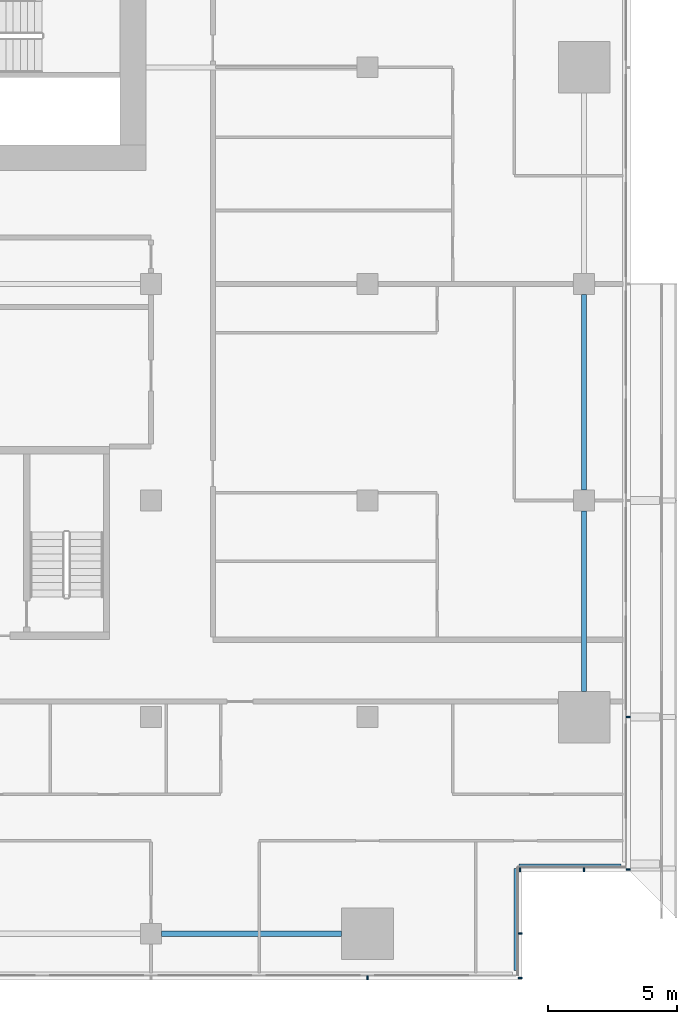
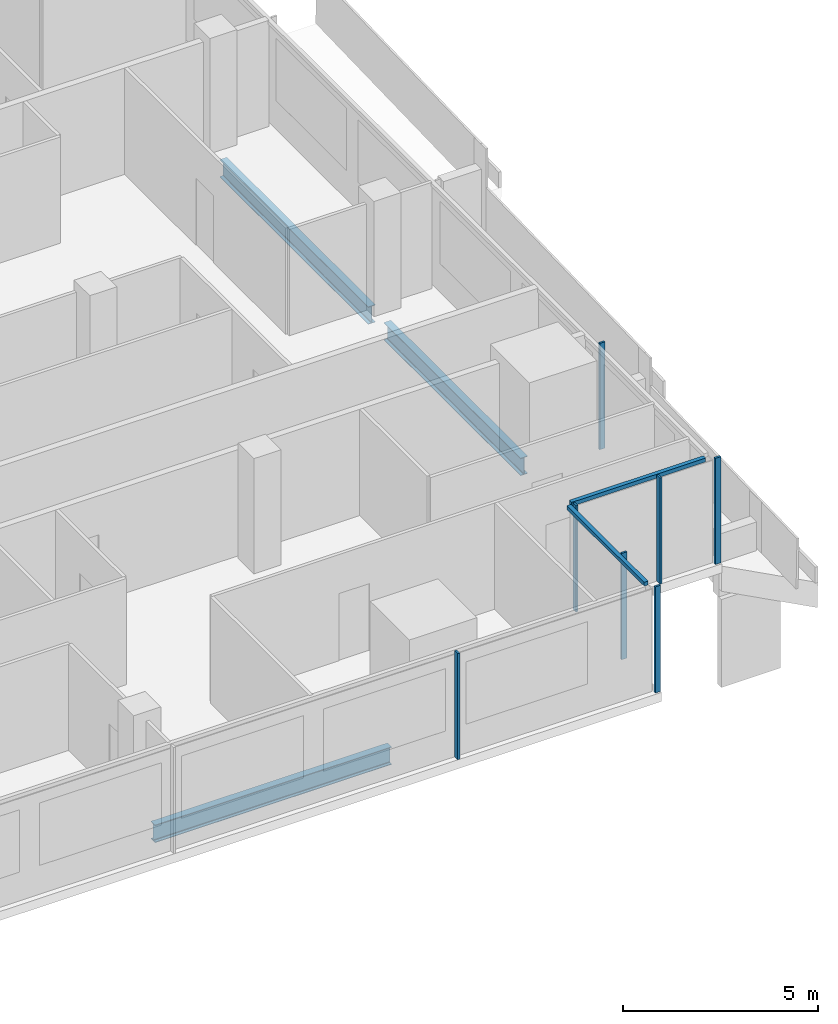
# One storey, part 10 of 25: 9 members, 3 beams, 4 elements without a shape of their own.
"""IFC4 building model written with IfcOpenShell, lengths in metres."""

from ifc_helpers import new_model, si_unit, direction, frame, origin, origin_2d, place, context, subcontext, project, spatial, rectangle, i_section, extrude, material, material_profile, profile_set, type_object, element, aggregate, save


model = new_model("IFC4")

# Units and contexts
model_context = context("Model", 3, precision=1e-05, world=origin(), true_north=direction((0.0, 1.0)))
body_context = subcontext(model_context, "Body", "Model", "MODEL_VIEW")
ifc_project = project(units=[si_unit("LENGTHUNIT", "METRE"), si_unit("AREAUNIT", "SQUARE_METRE"), si_unit("VOLUMEUNIT", "CUBIC_METRE"), si_unit("PLANEANGLEUNIT", "RADIAN"), si_unit("MASSUNIT", "GRAM", prefix="KILO")], contexts=[model_context])

# Site, building, storey
site_placement = place(None, origin())
site = spatial("IfcSite", under=ifc_project, at=site_placement, CompositionType="ELEMENT")
building_placement = place(site_placement, origin())
building = spatial("IfcBuilding", under=site, at=building_placement, Name="Saffron Gate Tower", CompositionType="ELEMENT")
storey_placement = place(building_placement, frame((0.0, 0.0, 131.25)))
storey = spatial("IfcBuildingStorey", under=building, at=storey_placement, Name="L31", CompositionType="ELEMENT", Elevation=131.25)

# Beams
ifc_material_1 = material(Name="Structural steel S355", Category="steel")
ifc_material_profile_1 = material_profile(ifc_material_1, i_section(OverallWidth=0.2099609375, OverallDepth=0.550048828125, WebThickness=0.010986328125, FlangeThickness=0.01708984375, FilletRadius=0.02392578125, at=origin_2d()))
ifc_profile_set_1 = profile_set([ifc_material_profile_1], Name="Structural steel S355")
beam_type = type_object("IfcBeamType", Name="B13 IPE 550", PredefinedType="SPANDREL", material=ifc_profile_set_1)
for number, where, z_axis, x_axis, name in (
    (1, (109.0, 31.800048828125, -0.554931640625), (1.0, 0.0, 0.0), (0.0, 1.0, 0.0), "B13 SPANDREL BEAM"),
    (2, (125.39990234375, 41.199951171875, -0.554931640625), (0.0, 1.0, 0.0), (-1.0, 0.0, 0.0), "B13 SPANDREL BEAM"),
):
    element("IfcBeam", number, at=place(storey_placement, frame(where, z_axis=z_axis, x_axis=x_axis)), inside=storey, type_object=beam_type, Name=name, PredefinedType="SPANDREL", context=body_context, shape_type="SweptSolid", body=[
        extrude(i_section(OverallWidth=0.2099609375, OverallDepth=0.550048828125, WebThickness=0.010986328125, FlangeThickness=0.01708984375, FilletRadius=0.02392578125, at=origin_2d()), origin(), (0.0, 0.0, 1.0), 7.0),
    ])
beam_placement = place(storey_placement, frame((125.39990234375, 49.0, -0.554931640625), z_axis=(0.0, 1.0, 0.0), x_axis=(-1.0, 0.0, 0.0)))
element("IfcBeam", 3, at=beam_placement, inside=storey, type_object=beam_type, Name="B13 SPANDREL BEAM", PredefinedType="SPANDREL", context=body_context, shape_type="SweptSolid", body=[
    extrude(i_section(OverallWidth=0.2099609375, OverallDepth=0.550048828125, WebThickness=0.010986328125, FlangeThickness=0.01708984375, FilletRadius=0.02392578125, at=origin_2d()), origin(), (0.0, 0.0, 1.0), 7.60009765625),
])

# Curtain wall, member
ifc_material_2 = material(Name="Aluminium, bronze anodised", Category="aluminium")
curtain_wall_type_1 = type_object("IfcCurtainWallType", Name="CWS1 curtain wall front facade", PredefinedType="NOTDEFINED", material=ifc_material_2)
curtain_wall_1_placement = place(storey_placement, origin())
curtain_wall_1 = element("IfcCurtainWall", 4, at=curtain_wall_1_placement, inside=storey, type_object=curtain_wall_type_1, Name="CWS1 run 1", PredefinedType="NOTDEFINED")
ifc_material_profile_2 = material_profile(ifc_material_2, rectangle(XDim=0.159912109375, YDim=0.06005859375, at=origin_2d()))
ifc_profile_set_2 = profile_set([ifc_material_profile_2], Name="Aluminium, bronze anodised")
member_type_1 = type_object("IfcMemberType", Name="CWS1 mullion 60x160", PredefinedType="MULLION", material=ifc_profile_set_2)
member_1_placement = place(storey_placement, frame((117.0, 30.080078125, 0.0), z_axis=(0.0, 0.0, 1.0), x_axis=(0.0, 1.0, 0.0)))
member_1 = element("IfcMember", 5, at=member_1_placement, type_object=member_type_1, Name="CWS1 mullion 9", PredefinedType="MULLION", context=body_context, shape_type="SweptSolid", body=[
    extrude(rectangle(XDim=0.159912109375, YDim=0.06005859375, at=origin_2d()), origin(), (0.0, 0.0, 1.0), 3.320068359375),
])
aggregate(curtain_wall_1, [member_1])

# Curtain wall, members
curtain_wall_type_2 = type_object("IfcCurtainWallType", Name="CWS2 curtain wall side facades", PredefinedType="NOTDEFINED", material=ifc_material_2)
curtain_wall_2_placement = place(storey_placement, origin())
curtain_wall_2 = element("IfcCurtainWall", 6, at=curtain_wall_2_placement, inside=storey, type_object=curtain_wall_type_2, Name="CWS2 run 4", PredefinedType="NOTDEFINED")
ifc_material_profile_3 = material_profile(ifc_material_2, rectangle(XDim=0.159912109375, YDim=0.06005859375, at=origin_2d()))
ifc_profile_set_3 = profile_set([ifc_material_profile_3], Name="Aluminium, bronze anodised")
member_type_2 = type_object("IfcMemberType", Name="CWS2 mullion 60x160", PredefinedType="MULLION", material=ifc_profile_set_3)
member_2_placement = place(storey_placement, frame((127.1201171875, 34.280029296875, 0.0), z_axis=(0.0, 0.0, 1.0), x_axis=(-1.0, 0.0, 0.0)))
member_2 = element("IfcMember", 7, at=member_2_placement, type_object=member_type_2, Name="CWS2 mullion 1", PredefinedType="MULLION", context=body_context, shape_type="SweptSolid", body=[
    extrude(rectangle(XDim=0.159912109375, YDim=0.06005859375, at=origin_2d()), origin(), (0.0, 0.0, 1.0), 3.320068359375),
])
member_3_placement = place(storey_placement, frame((127.1201171875, 40.199951171875, 0.0), z_axis=(0.0, 0.0, 1.0), x_axis=(-1.0, 0.0, 0.0)))
member_3 = element("IfcMember", 8, at=member_3_placement, type_object=member_type_2, Name="CWS2 mullion 2", PredefinedType="MULLION", context=body_context, shape_type="SweptSolid", body=[
    extrude(rectangle(XDim=0.159912109375, YDim=0.06005859375, at=origin_2d()), origin(), (0.0, 0.0, 1.0), 3.320068359375),
])
aggregate(curtain_wall_2, [member_2, member_3])

# Curtain wall, member
curtain_wall_type_3 = type_object("IfcCurtainWallType", Name="CWS4 curtain wall corner returns", PredefinedType="NOTDEFINED", material=ifc_material_2)
curtain_wall_3_placement = place(storey_placement, origin())
curtain_wall_3 = element("IfcCurtainWall", 9, at=curtain_wall_3_placement, inside=storey, type_object=curtain_wall_type_3, Name="CWS4 run 2", PredefinedType="NOTDEFINED")
ifc_material_profile_4 = material_profile(ifc_material_2, rectangle(XDim=0.1201171875, YDim=0.1201171875, at=origin_2d()))
ifc_profile_set_4 = profile_set([ifc_material_profile_4], Name="Aluminium, bronze anodised")
member_type_3 = type_object("IfcMemberType", Name="CWS4 head transom", PredefinedType="USERDEFINED", material=ifc_profile_set_4)
member_4_placement = place(storey_placement, frame((122.751953125, 30.367919921875, 3.260009765625), z_axis=(0.0, 1.0, 0.0), x_axis=(-1.0, 0.0, 0.0)))
member_4 = element("IfcMember", 10, at=member_4_placement, type_object=member_type_3, Name="CWS4 head transom", ObjectType="TRANSOM", PredefinedType="USERDEFINED", context=body_context, shape_type="SweptSolid", body=[
    extrude(rectangle(XDim=0.1201171875, YDim=0.1201171875, at=origin_2d()), origin(), (0.0, 0.0, 1.0), 3.9599609375),
])

curtain_wall_4_placement = place(storey_placement, origin())
curtain_wall_4 = element("IfcCurtainWall", 11, at=curtain_wall_4_placement, inside=storey, type_object=curtain_wall_type_3, Name="CWS4 run 3", PredefinedType="NOTDEFINED")
member_5_placement = place(storey_placement, frame((122.8720703125, 34.447998046875, 3.260009765625), z_axis=(1.0, 0.0, 0.0), x_axis=(0.0, 1.0, 0.0)))
member_5 = element("IfcMember", 12, at=member_5_placement, type_object=member_type_3, Name="CWS4 head transom", ObjectType="TRANSOM", PredefinedType="USERDEFINED", context=body_context, shape_type="SweptSolid", body=[
    extrude(rectangle(XDim=0.1201171875, YDim=0.1201171875, at=origin_2d()), origin(), (0.0, 0.0, 1.0), 3.9599609375),
])

# Member
ifc_material_profile_5 = material_profile(ifc_material_2, rectangle(XDim=0.159912109375, YDim=0.06005859375, at=origin_2d()))
ifc_profile_set_5 = profile_set([ifc_material_profile_5], Name="Aluminium, bronze anodised")
member_type_4 = type_object("IfcMemberType", Name="CWS4 mullion 60x160", PredefinedType="MULLION", material=ifc_profile_set_5)
member_6_placement = place(storey_placement, frame((122.919921875, 30.080078125, 0.0), z_axis=(0.0, 0.0, 1.0), x_axis=(-1.0, 0.0, 0.0)))
member_6 = element("IfcMember", 13, at=member_6_placement, type_object=member_type_4, Name="CWS4 mullion 1", PredefinedType="MULLION", context=body_context, shape_type="SweptSolid", body=[
    extrude(rectangle(XDim=0.159912109375, YDim=0.06005859375, at=origin_2d()), origin(), (0.0, 0.0, 1.0), 3.320068359375),
])

member_7_placement = place(storey_placement, frame((122.919921875, 31.800048828125, 0.0), z_axis=(0.0, 0.0, 1.0), x_axis=(-1.0, 0.0, 0.0)))
member_7 = element("IfcMember", 14, at=member_7_placement, type_object=member_type_4, Name="CWS4 mullion 2", PredefinedType="MULLION", context=body_context, shape_type="SweptSolid", body=[
    extrude(rectangle(XDim=0.159912109375, YDim=0.06005859375, at=origin_2d()), origin(), (0.0, 0.0, 1.0), 3.320068359375),
])

aggregate(curtain_wall_3, [member_6, member_7, member_4])

member_8_placement = place(storey_placement, frame((122.919921875, 34.280029296875, 0.0), z_axis=(0.0, 0.0, 1.0), x_axis=(0.0, 1.0, 0.0)))
member_8 = element("IfcMember", 15, at=member_8_placement, type_object=member_type_4, Name="CWS4 mullion 1", PredefinedType="MULLION", context=body_context, shape_type="SweptSolid", body=[
    extrude(rectangle(XDim=0.159912109375, YDim=0.06005859375, at=origin_2d()), origin(), (0.0, 0.0, 1.0), 3.320068359375),
])

member_9_placement = place(storey_placement, frame((125.39990234375, 34.280029296875, 0.0), z_axis=(0.0, 0.0, 1.0), x_axis=(0.0, 1.0, 0.0)))
member_9 = element("IfcMember", 16, at=member_9_placement, type_object=member_type_4, Name="CWS4 mullion 2", PredefinedType="MULLION", context=body_context, shape_type="SweptSolid", body=[
    extrude(rectangle(XDim=0.159912109375, YDim=0.06005859375, at=origin_2d()), origin(), (0.0, 0.0, 1.0), 3.320068359375),
])

aggregate(curtain_wall_4, [member_8, member_9, member_5])

save(model, "model.ifc")
